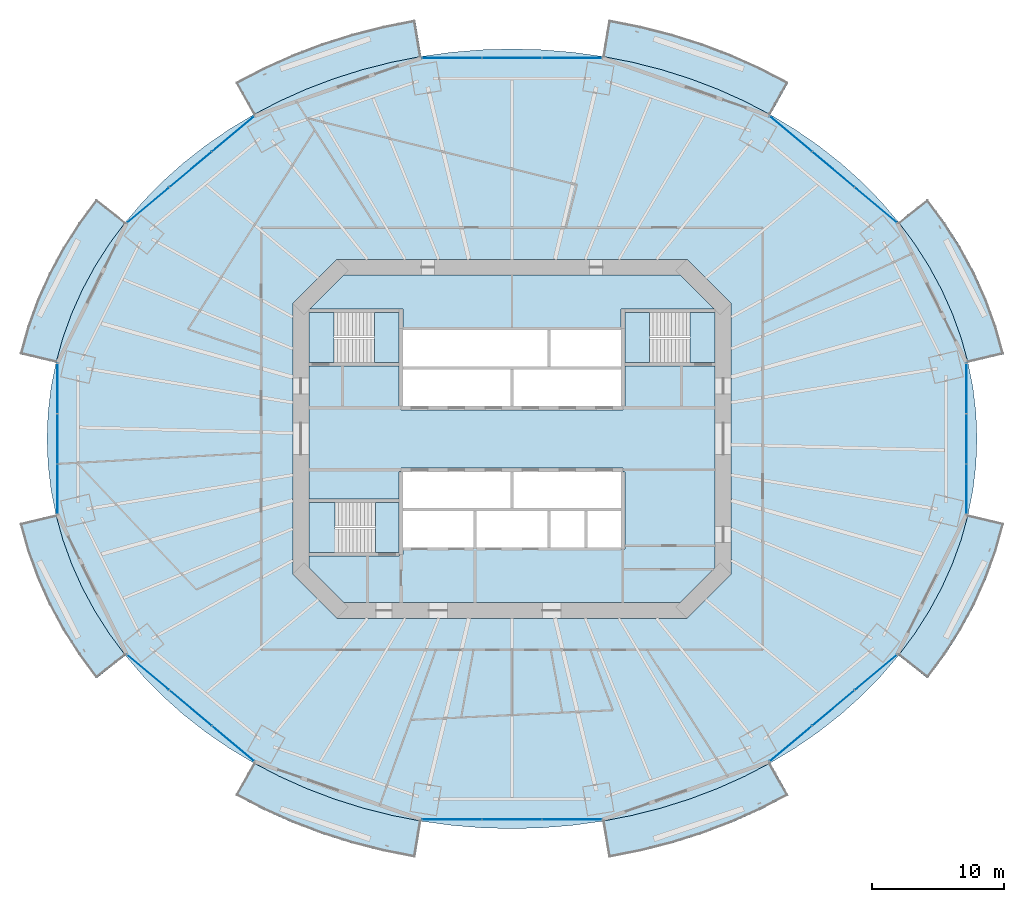
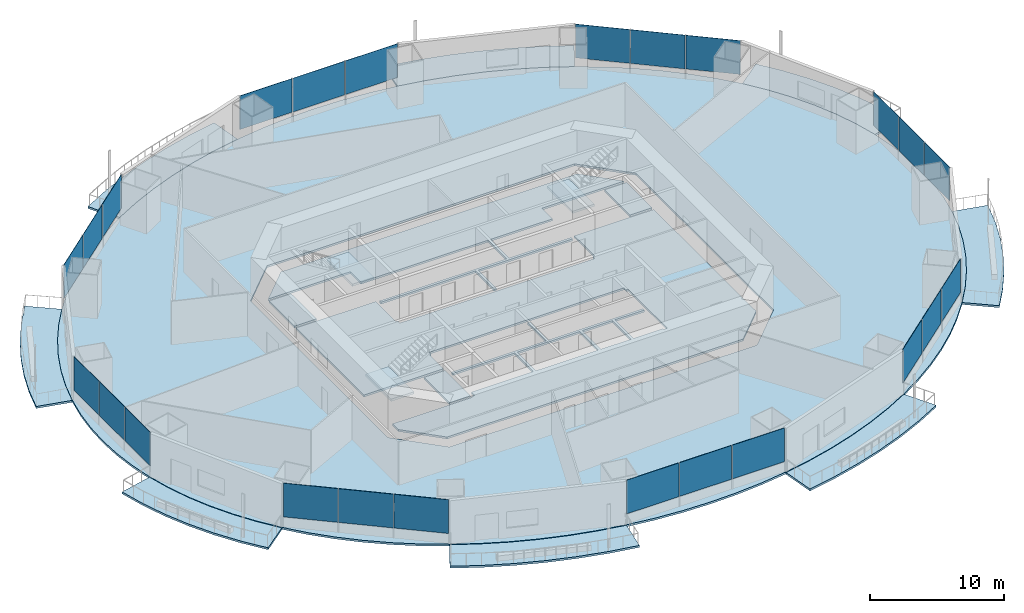
# One storey, part 12 of 22: 24 plates, 17 slabs, 11 elements without a shape of their own.
"""IFC4 building model written with IfcOpenShell, lengths in metres."""

from ifc_helpers import new_model, si_unit, direction, frame, origin, origin_2d, place, context, subcontext, project, spatial, polyline, rectangle, outline, extrude, material, layer, layer_set, type_object, element, aggregate, save


model = new_model("IFC4")

# Units and contexts
model_context = context("Model", 3, precision=1e-05, world=origin(), true_north=direction((0.0, 1.0)))
body_context = subcontext(model_context, "Body", "Model", "MODEL_VIEW")
ifc_project = project(units=[si_unit("LENGTHUNIT", "METRE"), si_unit("AREAUNIT", "SQUARE_METRE"), si_unit("VOLUMEUNIT", "CUBIC_METRE"), si_unit("PLANEANGLEUNIT", "RADIAN"), si_unit("MASSUNIT", "GRAM", prefix="KILO")], contexts=[model_context])

# Site, building, storey
site_placement = place(None, origin())
site = spatial("IfcSite", under=ifc_project, at=site_placement, CompositionType="ELEMENT")
building_placement = place(site_placement, origin())
building = spatial("IfcBuilding", under=site, at=building_placement, Name="Marenthal Gate Tower", CompositionType="ELEMENT")
storey_placement = place(building_placement, frame((0.0, 0.0, 86.949951171875)))
storey = spatial("IfcBuildingStorey", under=building, at=storey_placement, Name="L17", CompositionType="ELEMENT", Elevation=86.949951171875)

# Slabs
ifc_material_1 = material(Name="Concrete 40 MPa", Category="concrete")
ifc_layer_1 = layer(ifc_material_1, 0.179931640625)
ifc_layer_set_1 = layer_set([ifc_layer_1], Name="Balcony deck 180")
slab_type_1 = type_object("IfcSlabType", Name="Balcony deck 180", PredefinedType="USERDEFINED", material=ifc_layer_set_1)
slab_1_placement = place(storey_placement, frame((0.0, 0.0, -0.219970703125)))
element("IfcSlab", 1, at=slab_1_placement, inside=storey, type_object=slab_type_1, Name="Balcony deck L17 bay 1", ObjectType="BALCONY", PredefinedType="USERDEFINED", context=body_context, shape_type="SweptSolid", body=[
    extrude(outline(polyline([(34.553955078125, 5.7626953125), (34.030517578125, 7.64501953125), (33.361328125, 9.49462890625), (32.54931640625, 11.3037109375), (31.59765625, 13.064208984375), (30.510986328125, 14.76904296875), (29.29345703125, 16.410400390625), (31.483154296875, 18.155517578125), (32.81689453125, 16.35693359375), (34.01123046875, 14.48388671875), (35.0595703125, 12.5439453125), (35.95654296875, 10.54541015625), (36.697509765625, 8.497314453125), (37.2783203125, 6.408935546875), (34.553955078125, 5.7626953125)])), origin(), (0.0, 0.0, 1.0), 0.179931640625),
])
slab_2_placement = place(storey_placement, frame((0.0, 0.0, -0.219970703125)))
element("IfcSlab", 2, at=slab_2_placement, inside=storey, type_object=slab_type_1, Name="Balcony deck L17 bay 3", ObjectType="BALCONY", PredefinedType="USERDEFINED", context=body_context, shape_type="SweptSolid", body=[
    extrude(outline(polyline([(19.5732421875, 24.559814453125), (17.615478515625, 25.580810546875), (15.582275390625, 26.49169921875), (13.482421875, 27.28955078125), (11.32470703125, 27.970458984375), (9.118408203125, 28.531494140625), (6.873291015625, 28.970458984375), (7.333740234375, 31.732177734375), (9.732177734375, 31.263427734375), (12.091064453125, 30.66357421875), (14.40087890625, 29.9345703125), (16.652099609375, 29.079345703125), (18.83544921875, 28.10107421875), (20.94189453125, 27.002685546875), (19.5732421875, 24.559814453125)])), origin(), (0.0, 0.0, 1.0), 0.179931640625),
])
slab_3_placement = place(storey_placement, frame((0.0, 0.0, -0.219970703125)))
element("IfcSlab", 3, at=slab_3_placement, inside=storey, type_object=slab_type_1, Name="Balcony deck L17 bay 5", ObjectType="BALCONY", PredefinedType="USERDEFINED", context=body_context, shape_type="SweptSolid", body=[
    extrude(outline(polyline([(-6.873291015625, 28.970458984375), (-9.118408203125, 28.531494140625), (-11.32470703125, 27.970458984375), (-13.482421875, 27.28955078125), (-15.582275390625, 26.49169921875), (-17.615478515625, 25.580810546875), (-19.5732421875, 24.559814453125), (-20.94189453125, 27.002685546875), (-18.83544921875, 28.10107421875), (-16.652099609375, 29.079345703125), (-14.40087890625, 29.9345703125), (-12.091064453125, 30.66357421875), (-9.732177734375, 31.263427734375), (-7.333740234375, 31.732177734375), (-6.873291015625, 28.970458984375)])), origin(), (0.0, 0.0, 1.0), 0.179931640625),
])
slab_4_placement = place(storey_placement, frame((0.0, 0.0, -0.219970703125)))
element("IfcSlab", 4, at=slab_4_placement, inside=storey, type_object=slab_type_1, Name="Balcony deck L17 bay 7", ObjectType="BALCONY", PredefinedType="USERDEFINED", context=body_context, shape_type="SweptSolid", body=[
    extrude(outline(polyline([(-29.29345703125, 16.410400390625), (-30.510986328125, 14.76904296875), (-31.59765625, 13.064208984375), (-32.54931640625, 11.3037109375), (-33.361328125, 9.49462890625), (-34.030517578125, 7.64501953125), (-34.553955078125, 5.7626953125), (-37.2783203125, 6.408935546875), (-36.697509765625, 8.497314453125), (-35.95654296875, 10.54541015625), (-35.0595703125, 12.5439453125), (-34.01123046875, 14.48388671875), (-32.81689453125, 16.35693359375), (-31.483154296875, 18.155517578125), (-29.29345703125, 16.410400390625)])), origin(), (0.0, 0.0, 1.0), 0.179931640625),
])
slab_5_placement = place(storey_placement, frame((0.0, 0.0, -0.219970703125)))
element("IfcSlab", 5, at=slab_5_placement, inside=storey, type_object=slab_type_1, Name="Balcony deck L17 bay 9", ObjectType="BALCONY", PredefinedType="USERDEFINED", context=body_context, shape_type="SweptSolid", body=[
    extrude(outline(polyline([(-34.553955078125, -5.7626953125), (-34.030517578125, -7.64501953125), (-33.361328125, -9.49462890625), (-32.54931640625, -11.3037109375), (-31.59765625, -13.064208984375), (-30.510986328125, -14.76904296875), (-29.29345703125, -16.410400390625), (-31.483154296875, -18.155517578125), (-32.81689453125, -16.35693359375), (-34.01123046875, -14.48388671875), (-35.0595703125, -12.5439453125), (-35.95654296875, -10.54541015625), (-36.697509765625, -8.497314453125), (-37.2783203125, -6.408935546875), (-34.553955078125, -5.7626953125)])), origin(), (0.0, 0.0, 1.0), 0.179931640625),
])
slab_6_placement = place(storey_placement, frame((0.0, 0.0, -0.219970703125)))
element("IfcSlab", 6, at=slab_6_placement, inside=storey, type_object=slab_type_1, Name="Balcony deck L17 bay 11", ObjectType="BALCONY", PredefinedType="USERDEFINED", context=body_context, shape_type="SweptSolid", body=[
    extrude(outline(polyline([(-19.5732421875, -24.559814453125), (-17.615478515625, -25.580810546875), (-15.582275390625, -26.49169921875), (-13.482421875, -27.28955078125), (-11.32470703125, -27.970458984375), (-9.118408203125, -28.531494140625), (-6.873291015625, -28.970458984375), (-7.333740234375, -31.732177734375), (-9.732177734375, -31.263427734375), (-12.091064453125, -30.66357421875), (-14.40087890625, -29.9345703125), (-16.652099609375, -29.079345703125), (-18.83544921875, -28.10107421875), (-20.94189453125, -27.002685546875), (-19.5732421875, -24.559814453125)])), origin(), (0.0, 0.0, 1.0), 0.179931640625),
])
slab_7_placement = place(storey_placement, frame((0.0, 0.0, -0.219970703125)))
element("IfcSlab", 7, at=slab_7_placement, inside=storey, type_object=slab_type_1, Name="Balcony deck L17 bay 13", ObjectType="BALCONY", PredefinedType="USERDEFINED", context=body_context, shape_type="SweptSolid", body=[
    extrude(outline(polyline([(6.873291015625, -28.970458984375), (9.118408203125, -28.531494140625), (11.32470703125, -27.970458984375), (13.482421875, -27.28955078125), (15.582275390625, -26.49169921875), (17.615478515625, -25.580810546875), (19.5732421875, -24.559814453125), (20.94189453125, -27.002685546875), (18.83544921875, -28.10107421875), (16.652099609375, -29.079345703125), (14.40087890625, -29.9345703125), (12.091064453125, -30.66357421875), (9.732177734375, -31.263427734375), (7.333740234375, -31.732177734375), (6.873291015625, -28.970458984375)])), origin(), (0.0, 0.0, 1.0), 0.179931640625),
])
slab_8_placement = place(storey_placement, frame((0.0, 0.0, -0.219970703125)))
element("IfcSlab", 8, at=slab_8_placement, inside=storey, type_object=slab_type_1, Name="Balcony deck L17 bay 15", ObjectType="BALCONY", PredefinedType="USERDEFINED", context=body_context, shape_type="SweptSolid", body=[
    extrude(outline(polyline([(29.29345703125, -16.410400390625), (30.510986328125, -14.76904296875), (31.59765625, -13.064208984375), (32.54931640625, -11.3037109375), (33.361328125, -9.49462890625), (34.030517578125, -7.64501953125), (34.553955078125, -5.7626953125), (37.2783203125, -6.408935546875), (36.697509765625, -8.497314453125), (35.95654296875, -10.54541015625), (35.0595703125, -12.5439453125), (34.01123046875, -14.48388671875), (32.81689453125, -16.35693359375), (31.483154296875, -18.155517578125), (29.29345703125, -16.410400390625)])), origin(), (0.0, 0.0, 1.0), 0.179931640625),
])
ifc_material_2 = material(Name="Concrete 50 MPa", Category="concrete")
ifc_layer_2 = layer(ifc_material_2, 0.179931640625)
ifc_layer_set_2 = layer_set([ifc_layer_2], Name="Core floor slab 180")
slab_type_2 = type_object("IfcSlabType", Name="Core floor slab 180", PredefinedType="FLOOR", material=ifc_layer_set_2)
slab_9_placement = place(storey_placement, frame((0.0, 0.0, -0.179931640625)))
element("IfcSlab", 9, at=slab_9_placement, inside=storey, type_object=slab_type_2, Name="Core floor L17", PredefinedType="FLOOR", context=body_context, shape_type="SweptSolid", body=[
    extrude(outline(polyline([(15.39990234375, -9.75146484375), (12.75146484375, -12.39990234375), (-12.75146484375, -12.39990234375), (-15.39990234375, -9.75146484375), (-15.39990234375, -8.875), (-8.550048828125, -8.875), (-8.550048828125, -8.75), (-8.25, -8.75), (-8.25, -8.239990234375), (-5.60009765625, -8.239990234375), (-2.909912109375, -8.239990234375), (-2.909912109375, -5.4599609375), (-5.60009765625, -5.4599609375), (-8.25, -5.4599609375), (-8.25, -5.239990234375), (-5.60009765625, -5.239990234375), (-2.800048828125, -5.239990234375), (-0.110107421875, -5.239990234375), (-0.110107421875, -2.5), (0.110107421875, -2.5), (0.110107421875, -5.239990234375), (2.800048828125, -5.239990234375), (5.60009765625, -5.239990234375), (8.25, -5.239990234375), (8.25, -5.4599609375), (5.7099609375, -5.4599609375), (5.7099609375, -8.239990234375), (8.25, -8.239990234375), (8.25, -8.35009765625), (8.550048828125, -8.35009765625), (8.550048828125, -2.5), (8.39990234375, -2.5), (8.39990234375, -2.199951171875), (-8.39990234375, -2.199951171875), (-8.39990234375, -2.5), (-8.550048828125, -2.5), (-8.550048828125, -4.574951171875), (-15.39990234375, -4.574951171875), (-15.39990234375, 5.52490234375), (-8.550048828125, 5.52490234375), (-8.550048828125, 2.5), (-8.39990234375, 2.5), (-8.39990234375, 2.199951171875), (8.39990234375, 2.199951171875), (8.39990234375, 2.5), (8.550048828125, 2.5), (8.550048828125, 5.52490234375), (15.39990234375, 5.52490234375), (15.39990234375, -9.75146484375)]), holes=[polyline([(2.68994140625, -5.4599609375), (0.0, -5.4599609375), (-2.68994140625, -5.4599609375), (-2.68994140625, -8.239990234375), (0.0, -8.239990234375), (2.68994140625, -8.239990234375), (2.68994140625, -5.4599609375)]), polyline([(5.489990234375, -5.4599609375), (2.909912109375, -5.4599609375), (2.909912109375, -8.239990234375), (5.489990234375, -8.239990234375), (5.489990234375, -5.4599609375)])]), origin(), (0.0, 0.0, 1.0), 0.179931640625),
])
slab_10_placement = place(storey_placement, frame((0.0, 0.0, -0.179931640625)))
element("IfcSlab", 10, at=slab_10_placement, inside=storey, type_object=slab_type_2, Name="Core floor L17", PredefinedType="FLOOR", context=body_context, shape_type="SweptSolid", body=[
    extrude(outline(polyline([(15.39990234375, 5.77490234375), (13.5, 5.77490234375), (13.5, 9.574951171875), (15.39990234375, 9.574951171875), (15.39990234375, 5.77490234375)])), origin(), (0.0, 0.0, 1.0), 0.179931640625),
])
slab_11_placement = place(storey_placement, frame((0.0, 0.0, -0.179931640625)))
element("IfcSlab", 11, at=slab_11_placement, inside=storey, type_object=slab_type_2, Name="Core floor L17", PredefinedType="FLOOR", context=body_context, shape_type="SweptSolid", body=[
    extrude(outline(polyline([(12.75146484375, 12.39990234375), (15.326416015625, 9.824951171875), (8.550048828125, 9.824951171875), (8.25, 9.824951171875), (8.25, 8.35009765625), (8.25, 8.239990234375), (5.60009765625, 8.239990234375), (2.909912109375, 8.239990234375), (2.909912109375, 5.4599609375), (5.60009765625, 5.4599609375), (8.25, 5.4599609375), (8.25, 5.239990234375), (5.60009765625, 5.239990234375), (2.800048828125, 5.239990234375), (0.110107421875, 5.239990234375), (0.110107421875, 2.5), (-0.110107421875, 2.5), (-0.110107421875, 5.239990234375), (-2.800048828125, 5.239990234375), (-5.60009765625, 5.239990234375), (-8.25, 5.239990234375), (-8.25, 5.4599609375), (-5.60009765625, 5.4599609375), (-2.800048828125, 5.4599609375), (0.0, 5.4599609375), (2.68994140625, 5.4599609375), (2.68994140625, 8.239990234375), (0.0, 8.239990234375), (-2.800048828125, 8.239990234375), (-5.60009765625, 8.239990234375), (-8.25, 8.239990234375), (-8.25, 8.35009765625), (-8.25, 9.824951171875), (-8.550048828125, 9.824951171875), (-15.326416015625, 9.824951171875), (-12.75146484375, 12.39990234375), (12.75146484375, 12.39990234375)])), origin(), (0.0, 0.0, 1.0), 0.179931640625),
])
slab_12_placement = place(storey_placement, frame((0.0, 0.0, -0.179931640625)))
element("IfcSlab", 12, at=slab_12_placement, inside=storey, type_object=slab_type_2, Name="Core floor L17", PredefinedType="FLOOR", context=body_context, shape_type="SweptSolid", body=[
    extrude(outline(polyline([(-15.39990234375, 9.574951171875), (-13.5, 9.574951171875), (-13.5, 5.77490234375), (-15.39990234375, 5.77490234375), (-15.39990234375, 9.574951171875)])), origin(), (0.0, 0.0, 1.0), 0.179931640625),
])
slab_13_placement = place(storey_placement, frame((0.0, 0.0, -0.179931640625)))
element("IfcSlab", 13, at=slab_13_placement, inside=storey, type_object=slab_type_2, Name="Core floor L17", PredefinedType="FLOOR", context=body_context, shape_type="SweptSolid", body=[
    extrude(outline(polyline([(-8.550048828125, -8.625), (-10.35009765625, -8.625), (-10.35009765625, -4.824951171875), (-8.550048828125, -4.824951171875), (-8.550048828125, -8.625)])), origin(), (0.0, 0.0, 1.0), 0.179931640625),
])
ifc_material_3 = material(Name="Concrete 35 MPa", Category="concrete")
ifc_layer_3 = layer(ifc_material_3, 0.179931640625)
ifc_layer_set_3 = layer_set([ifc_layer_3], Name="Floor slab 180")
slab_type_3 = type_object("IfcSlabType", Name="Floor slab 180", PredefinedType="FLOOR", material=ifc_layer_set_3)
slab_14_placement = place(storey_placement, frame((0.0, 0.0, -0.179931640625)))
element("IfcSlab", 14, at=slab_14_placement, inside=storey, type_object=slab_type_3, Name="SL-L17-01", PredefinedType="FLOOR", context=body_context, shape_type="SweptSolid", body=[
    extrude(outline(polyline([(35.23095703125, 0.0), (35.155517578125, 1.931884765625), (34.9296875, 3.85546875), (34.553955078125, 5.7626953125), (34.030517578125, 7.64501953125), (33.361328125, 9.49462890625), (32.54931640625, 11.3037109375), (31.59765625, 13.064208984375), (30.510986328125, 14.76904296875), (29.29345703125, 16.410400390625), (27.95068359375, 17.981689453125), (26.488037109375, 19.475830078125), (24.912109375, 20.886474609375), (23.2294921875, 22.207763671875), (21.447265625, 23.43408203125), (19.5732421875, 24.559814453125), (17.615478515625, 25.580810546875), (15.582275390625, 26.49169921875), (13.482421875, 27.28955078125), (11.32470703125, 27.970458984375), (9.118408203125, 28.531494140625), (6.873291015625, 28.970458984375), (4.5986328125, 29.285400390625), (2.30419921875, 29.474853515625), (0.0, 29.5380859375), (-2.30419921875, 29.474853515625), (-4.5986328125, 29.285400390625), (-6.873291015625, 28.970458984375), (-9.118408203125, 28.531494140625), (-11.32470703125, 27.970458984375), (-13.482421875, 27.28955078125), (-15.582275390625, 26.49169921875), (-17.615478515625, 25.580810546875), (-19.5732421875, 24.559814453125), (-21.447265625, 23.43408203125), (-23.2294921875, 22.207763671875), (-24.912109375, 20.886474609375), (-26.488037109375, 19.475830078125), (-27.95068359375, 17.981689453125), (-29.29345703125, 16.410400390625), (-30.510986328125, 14.76904296875), (-31.59765625, 13.064208984375), (-32.54931640625, 11.3037109375), (-33.361328125, 9.49462890625), (-34.030517578125, 7.64501953125), (-34.553955078125, 5.7626953125), (-34.9296875, 3.85546875), (-35.155517578125, 1.931884765625), (-35.23095703125, 0.0), (-35.155517578125, -1.931884765625), (-34.9296875, -3.85546875), (-34.553955078125, -5.7626953125), (-34.030517578125, -7.64501953125), (-33.361328125, -9.49462890625), (-32.54931640625, -11.3037109375), (-31.59765625, -13.064208984375), (-30.510986328125, -14.76904296875), (-29.29345703125, -16.410400390625), (-27.95068359375, -17.981689453125), (-26.488037109375, -19.475830078125), (-24.912109375, -20.886474609375), (-23.2294921875, -22.207763671875), (-21.447265625, -23.43408203125), (-19.5732421875, -24.559814453125), (-17.615478515625, -25.580810546875), (-15.582275390625, -26.49169921875), (-13.482421875, -27.28955078125), (-11.32470703125, -27.970458984375), (-9.118408203125, -28.531494140625), (-6.873291015625, -28.970458984375), (-4.5986328125, -29.285400390625), (-2.30419921875, -29.474853515625), (0.0, -29.5380859375), (2.30419921875, -29.474853515625), (4.5986328125, -29.285400390625), (6.873291015625, -28.970458984375), (9.118408203125, -28.531494140625), (11.32470703125, -27.970458984375), (13.482421875, -27.28955078125), (15.582275390625, -26.49169921875), (17.615478515625, -25.580810546875), (19.5732421875, -24.559814453125), (21.447265625, -23.43408203125), (23.2294921875, -22.207763671875), (24.912109375, -20.886474609375), (26.488037109375, -19.475830078125), (27.95068359375, -17.981689453125), (29.29345703125, -16.410400390625), (30.510986328125, -14.76904296875), (31.59765625, -13.064208984375), (32.54931640625, -11.3037109375), (33.361328125, -9.49462890625), (34.030517578125, -7.64501953125), (34.553955078125, -5.7626953125), (34.9296875, -3.85546875), (35.155517578125, -1.931884765625), (35.23095703125, 0.0)]), holes=[polyline([(13.24853515625, -13.60009765625), (16.60009765625, -10.24853515625), (16.60009765625, 10.24853515625), (13.24853515625, 13.60009765625), (-13.24853515625, 13.60009765625), (-16.60009765625, 10.24853515625), (-16.60009765625, -10.24853515625), (-13.24853515625, -13.60009765625), (13.24853515625, -13.60009765625)])]), origin(), (0.0, 0.0, 1.0), 0.179931640625),
])

# Curtain wall, plates
ifc_material_4 = material(Name="Aluminium and glass", Category="aluminium")
curtain_wall_type = type_object("IfcCurtainWallType", Name="Curtain wall typical low", PredefinedType="NOTDEFINED", material=ifc_material_4)
curtain_wall_1_placement = place(storey_placement, origin())
curtain_wall_1 = element("IfcCurtainWall", 15, at=curtain_wall_1_placement, inside=storey, type_object=curtain_wall_type, Name="Curtain wall L17 bay 2", PredefinedType="NOTDEFINED")
ifc_material_5 = material(Name="Glass, laminated insulating unit", Category="glass")
ifc_layer_4 = layer(ifc_material_5, 0.030029296875)
ifc_layer_set_4 = layer_set([ifc_layer_4], Name="Glass panel 30 typical low")
plate_type = type_object("IfcPlateType", Name="Glass panel 30 typical low", PredefinedType="CURTAIN_PANEL", material=ifc_layer_set_4)
plate_1_placement = place(storey_placement, frame((27.56396484375, 17.70947265625, 0.89990234375), z_axis=(0.0, 0.0, 1.0), x_axis=(-0.766513427604, 0.642228281301, 0.0)))
plate_1 = element("IfcPlate", 16, at=plate_1_placement, type_object=plate_type, Name="Glass panel L17 bay 2.1", PredefinedType="CURTAIN_PANEL", context=body_context, shape_type="SweptSolid", body=[
    extrude(rectangle(XDim=4.132568359375, YDim=0.030029296875, at=origin_2d()), origin(), (0.0, 0.0, 1.0), 3.070068359375),
])
plate_2_placement = place(storey_placement, frame((24.35009765625, 20.40185546875, 0.89990234375), z_axis=(0.0, 0.0, 1.0), x_axis=(-0.766513427604, 0.642228281301, 0.0)))
plate_2 = element("IfcPlate", 17, at=plate_2_placement, type_object=plate_type, Name="Glass panel L17 bay 2.2", PredefinedType="CURTAIN_PANEL", context=body_context, shape_type="SweptSolid", body=[
    extrude(rectangle(XDim=4.132568359375, YDim=0.030029296875, at=origin_2d()), origin(), (0.0, 0.0, 1.0), 3.070068359375),
])
plate_3_placement = place(storey_placement, frame((21.136474609375, 23.0947265625, 0.89990234375), z_axis=(0.0, 0.0, 1.0), x_axis=(-0.766513427604, 0.642228281301, 0.0)))
plate_3 = element("IfcPlate", 18, at=plate_3_placement, type_object=plate_type, Name="Glass panel L17 bay 2.3", PredefinedType="CURTAIN_PANEL", context=body_context, shape_type="SweptSolid", body=[
    extrude(rectangle(XDim=4.1328125, YDim=0.030029296875, at=origin_2d()), origin(), (0.0, 0.0, 1.0), 3.070068359375),
])
aggregate(curtain_wall_1, [plate_1, plate_2, plate_3])

curtain_wall_2_placement = place(storey_placement, origin())
curtain_wall_2 = element("IfcCurtainWall", 19, at=curtain_wall_2_placement, inside=storey, type_object=curtain_wall_type, Name="Curtain wall L17 bay 4", PredefinedType="NOTDEFINED")
plate_4_placement = place(storey_placement, frame((4.546630859375, 28.852783203125, 0.89990234375), z_axis=(0.0, 0.0, 1.0), x_axis=(-1.0, 0.0, 0.0)))
plate_4 = element("IfcPlate", 20, at=plate_4_placement, type_object=plate_type, Name="Glass panel L17 bay 4.1", PredefinedType="CURTAIN_PANEL", context=body_context, shape_type="SweptSolid", body=[
    extrude(rectangle(XDim=4.486572265625, YDim=0.030029296875, at=origin_2d()), origin(), (0.0, 0.0, 1.0), 3.070068359375),
])
plate_5_placement = place(storey_placement, frame((0.0, 28.852783203125, 0.89990234375), z_axis=(0.0, 0.0, 1.0), x_axis=(-1.0, 0.0, 0.0)))
plate_5 = element("IfcPlate", 21, at=plate_5_placement, type_object=plate_type, Name="Glass panel L17 bay 4.2", PredefinedType="CURTAIN_PANEL", context=body_context, shape_type="SweptSolid", body=[
    extrude(rectangle(XDim=4.486572265625, YDim=0.030029296875, at=origin_2d()), origin(), (0.0, 0.0, 1.0), 3.070068359375),
])
plate_6_placement = place(storey_placement, frame((-4.546630859375, 28.852783203125, 0.89990234375), z_axis=(0.0, 0.0, 1.0), x_axis=(-1.0, 0.0, 0.0)))
plate_6 = element("IfcPlate", 22, at=plate_6_placement, type_object=plate_type, Name="Glass panel L17 bay 4.3", PredefinedType="CURTAIN_PANEL", context=body_context, shape_type="SweptSolid", body=[
    extrude(rectangle(XDim=4.486572265625, YDim=0.030029296875, at=origin_2d()), origin(), (0.0, 0.0, 1.0), 3.070068359375),
])
aggregate(curtain_wall_2, [plate_4, plate_5, plate_6])

curtain_wall_3_placement = place(storey_placement, origin())
curtain_wall_3 = element("IfcCurtainWall", 23, at=curtain_wall_3_placement, inside=storey, type_object=curtain_wall_type, Name="Curtain wall L17 bay 6", PredefinedType="NOTDEFINED")
plate_7_placement = place(storey_placement, frame((-21.136474609375, 23.0947265625, 0.89990234375), z_axis=(0.0, 0.0, 1.0), x_axis=(-0.766513427604, -0.642228281301, 0.0)))
plate_7 = element("IfcPlate", 24, at=plate_7_placement, type_object=plate_type, Name="Glass panel L17 bay 6.1", PredefinedType="CURTAIN_PANEL", context=body_context, shape_type="SweptSolid", body=[
    extrude(rectangle(XDim=4.132568359375, YDim=0.030029296875, at=origin_2d()), origin(), (0.0, 0.0, 1.0), 3.070068359375),
])
plate_8_placement = place(storey_placement, frame((-24.35009765625, 20.402099609375, 0.89990234375), z_axis=(0.0, 0.0, 1.0), x_axis=(-0.766513427604, -0.642228281301, 0.0)))
plate_8 = element("IfcPlate", 25, at=plate_8_placement, type_object=plate_type, Name="Glass panel L17 bay 6.2", PredefinedType="CURTAIN_PANEL", context=body_context, shape_type="SweptSolid", body=[
    extrude(rectangle(XDim=4.132568359375, YDim=0.030029296875, at=origin_2d()), origin(), (0.0, 0.0, 1.0), 3.070068359375),
])
plate_9_placement = place(storey_placement, frame((-27.56396484375, 17.70947265625, 0.89990234375), z_axis=(0.0, 0.0, 1.0), x_axis=(-0.766513427604, -0.642228281301, 0.0)))
plate_9 = element("IfcPlate", 26, at=plate_9_placement, type_object=plate_type, Name="Glass panel L17 bay 6.3", PredefinedType="CURTAIN_PANEL", context=body_context, shape_type="SweptSolid", body=[
    extrude(rectangle(XDim=4.1328125, YDim=0.030029296875, at=origin_2d()), origin(), (0.0, 0.0, 1.0), 3.070068359375),
])
aggregate(curtain_wall_3, [plate_7, plate_8, plate_9])

curtain_wall_4_placement = place(storey_placement, origin())
curtain_wall_4 = element("IfcCurtainWall", 27, at=curtain_wall_4_placement, inside=storey, type_object=curtain_wall_type, Name="Curtain wall L17 bay 8", PredefinedType="NOTDEFINED")
plate_10_placement = place(storey_placement, frame((-34.436279296875, 3.80615234375, 0.89990234375), z_axis=(0.0, 0.0, 1.0), x_axis=(0.0, -1.0, 0.0)))
plate_10 = element("IfcPlate", 28, at=plate_10_placement, type_object=plate_type, Name="Glass panel L17 bay 8.1", PredefinedType="CURTAIN_PANEL", context=body_context, shape_type="SweptSolid", body=[
    extrude(rectangle(XDim=3.74609375, YDim=0.030029296875, at=origin_2d()), origin(), (0.0, 0.0, 1.0), 3.070068359375),
])
plate_11_placement = place(storey_placement, frame((-34.436279296875, 0.0, 0.89990234375), z_axis=(0.0, 0.0, 1.0), x_axis=(0.0, -1.0, 0.0)))
plate_11 = element("IfcPlate", 29, at=plate_11_placement, type_object=plate_type, Name="Glass panel L17 bay 8.2", PredefinedType="CURTAIN_PANEL", context=body_context, shape_type="SweptSolid", body=[
    extrude(rectangle(XDim=3.74609375, YDim=0.030029296875, at=origin_2d()), origin(), (0.0, 0.0, 1.0), 3.070068359375),
])
plate_12_placement = place(storey_placement, frame((-34.436279296875, -3.80615234375, 0.89990234375), z_axis=(0.0, 0.0, 1.0), x_axis=(0.0, -1.0, 0.0)))
plate_12 = element("IfcPlate", 30, at=plate_12_placement, type_object=plate_type, Name="Glass panel L17 bay 8.3", PredefinedType="CURTAIN_PANEL", context=body_context, shape_type="SweptSolid", body=[
    extrude(rectangle(XDim=3.74609375, YDim=0.030029296875, at=origin_2d()), origin(), (0.0, 0.0, 1.0), 3.070068359375),
])
aggregate(curtain_wall_4, [plate_10, plate_11, plate_12])

curtain_wall_5_placement = place(storey_placement, origin())
curtain_wall_5 = element("IfcCurtainWall", 31, at=curtain_wall_5_placement, inside=storey, type_object=curtain_wall_type, Name="Curtain wall L17 bay 10", PredefinedType="NOTDEFINED")
plate_13_placement = place(storey_placement, frame((-27.56396484375, -17.70947265625, 0.89990234375), z_axis=(0.0, 0.0, 1.0), x_axis=(0.766513427604, -0.642228281301, 0.0)))
plate_13 = element("IfcPlate", 32, at=plate_13_placement, type_object=plate_type, Name="Glass panel L17 bay 10.1", PredefinedType="CURTAIN_PANEL", context=body_context, shape_type="SweptSolid", body=[
    extrude(rectangle(XDim=4.132568359375, YDim=0.030029296875, at=origin_2d()), origin(), (0.0, 0.0, 1.0), 3.070068359375),
])
plate_14_placement = place(storey_placement, frame((-24.35009765625, -20.40185546875, 0.89990234375), z_axis=(0.0, 0.0, 1.0), x_axis=(0.766513427604, -0.642228281301, 0.0)))
plate_14 = element("IfcPlate", 33, at=plate_14_placement, type_object=plate_type, Name="Glass panel L17 bay 10.2", PredefinedType="CURTAIN_PANEL", context=body_context, shape_type="SweptSolid", body=[
    extrude(rectangle(XDim=4.132568359375, YDim=0.030029296875, at=origin_2d()), origin(), (0.0, 0.0, 1.0), 3.070068359375),
])
plate_15_placement = place(storey_placement, frame((-21.136474609375, -23.0947265625, 0.89990234375), z_axis=(0.0, 0.0, 1.0), x_axis=(0.766513427604, -0.642228281301, 0.0)))
plate_15 = element("IfcPlate", 34, at=plate_15_placement, type_object=plate_type, Name="Glass panel L17 bay 10.3", PredefinedType="CURTAIN_PANEL", context=body_context, shape_type="SweptSolid", body=[
    extrude(rectangle(XDim=4.1328125, YDim=0.030029296875, at=origin_2d()), origin(), (0.0, 0.0, 1.0), 3.070068359375),
])
aggregate(curtain_wall_5, [plate_13, plate_14, plate_15])

curtain_wall_6_placement = place(storey_placement, origin())
curtain_wall_6 = element("IfcCurtainWall", 35, at=curtain_wall_6_placement, inside=storey, type_object=curtain_wall_type, Name="Curtain wall L17 bay 12", PredefinedType="NOTDEFINED")
plate_16_placement = place(storey_placement, frame((-4.546630859375, -28.852783203125, 0.89990234375), z_axis=(0.0, 0.0, 1.0), x_axis=(1.0, 0.0, 0.0)))
plate_16 = element("IfcPlate", 36, at=plate_16_placement, type_object=plate_type, Name="Glass panel L17 bay 12.1", PredefinedType="CURTAIN_PANEL", context=body_context, shape_type="SweptSolid", body=[
    extrude(rectangle(XDim=4.486572265625, YDim=0.030029296875, at=origin_2d()), origin(), (0.0, 0.0, 1.0), 3.070068359375),
])
plate_17_placement = place(storey_placement, frame((0.0, -28.852783203125, 0.89990234375), z_axis=(0.0, 0.0, 1.0), x_axis=(1.0, 0.0, 0.0)))
plate_17 = element("IfcPlate", 37, at=plate_17_placement, type_object=plate_type, Name="Glass panel L17 bay 12.2", PredefinedType="CURTAIN_PANEL", context=body_context, shape_type="SweptSolid", body=[
    extrude(rectangle(XDim=4.486572265625, YDim=0.030029296875, at=origin_2d()), origin(), (0.0, 0.0, 1.0), 3.070068359375),
])
plate_18_placement = place(storey_placement, frame((4.546630859375, -28.852783203125, 0.89990234375), z_axis=(0.0, 0.0, 1.0), x_axis=(1.0, 0.0, 0.0)))
plate_18 = element("IfcPlate", 38, at=plate_18_placement, type_object=plate_type, Name="Glass panel L17 bay 12.3", PredefinedType="CURTAIN_PANEL", context=body_context, shape_type="SweptSolid", body=[
    extrude(rectangle(XDim=4.486572265625, YDim=0.030029296875, at=origin_2d()), origin(), (0.0, 0.0, 1.0), 3.070068359375),
])
aggregate(curtain_wall_6, [plate_16, plate_17, plate_18])

curtain_wall_7_placement = place(storey_placement, origin())
curtain_wall_7 = element("IfcCurtainWall", 39, at=curtain_wall_7_placement, inside=storey, type_object=curtain_wall_type, Name="Curtain wall L17 bay 14", PredefinedType="NOTDEFINED")
plate_19_placement = place(storey_placement, frame((21.136474609375, -23.0947265625, 0.89990234375), z_axis=(0.0, 0.0, 1.0), x_axis=(0.766513427604, 0.642228281301, 0.0)))
plate_19 = element("IfcPlate", 40, at=plate_19_placement, type_object=plate_type, Name="Glass panel L17 bay 14.1", PredefinedType="CURTAIN_PANEL", context=body_context, shape_type="SweptSolid", body=[
    extrude(rectangle(XDim=4.132568359375, YDim=0.030029296875, at=origin_2d()), origin(), (0.0, 0.0, 1.0), 3.070068359375),
])
plate_20_placement = place(storey_placement, frame((24.35009765625, -20.402099609375, 0.89990234375), z_axis=(0.0, 0.0, 1.0), x_axis=(0.766513427604, 0.642228281301, 0.0)))
plate_20 = element("IfcPlate", 41, at=plate_20_placement, type_object=plate_type, Name="Glass panel L17 bay 14.2", PredefinedType="CURTAIN_PANEL", context=body_context, shape_type="SweptSolid", body=[
    extrude(rectangle(XDim=4.132568359375, YDim=0.030029296875, at=origin_2d()), origin(), (0.0, 0.0, 1.0), 3.070068359375),
])
plate_21_placement = place(storey_placement, frame((27.56396484375, -17.70947265625, 0.89990234375), z_axis=(0.0, 0.0, 1.0), x_axis=(0.766513427604, 0.642228281301, 0.0)))
plate_21 = element("IfcPlate", 42, at=plate_21_placement, type_object=plate_type, Name="Glass panel L17 bay 14.3", PredefinedType="CURTAIN_PANEL", context=body_context, shape_type="SweptSolid", body=[
    extrude(rectangle(XDim=4.1328125, YDim=0.030029296875, at=origin_2d()), origin(), (0.0, 0.0, 1.0), 3.070068359375),
])
aggregate(curtain_wall_7, [plate_19, plate_20, plate_21])

curtain_wall_8_placement = place(storey_placement, origin())
curtain_wall_8 = element("IfcCurtainWall", 43, at=curtain_wall_8_placement, inside=storey, type_object=curtain_wall_type, Name="Curtain wall L17 bay 16", PredefinedType="NOTDEFINED")
plate_22_placement = place(storey_placement, frame((34.436279296875, -3.80615234375, 0.89990234375), z_axis=(0.0, 0.0, 1.0), x_axis=(0.0, 1.0, 0.0)))
plate_22 = element("IfcPlate", 44, at=plate_22_placement, type_object=plate_type, Name="Glass panel L17 bay 16.1", PredefinedType="CURTAIN_PANEL", context=body_context, shape_type="SweptSolid", body=[
    extrude(rectangle(XDim=3.74609375, YDim=0.030029296875, at=origin_2d()), origin(), (0.0, 0.0, 1.0), 3.070068359375),
])
plate_23_placement = place(storey_placement, frame((34.436279296875, 0.0, 0.89990234375), z_axis=(0.0, 0.0, 1.0), x_axis=(0.0, 1.0, 0.0)))
plate_23 = element("IfcPlate", 45, at=plate_23_placement, type_object=plate_type, Name="Glass panel L17 bay 16.2", PredefinedType="CURTAIN_PANEL", context=body_context, shape_type="SweptSolid", body=[
    extrude(rectangle(XDim=3.74609375, YDim=0.030029296875, at=origin_2d()), origin(), (0.0, 0.0, 1.0), 3.070068359375),
])
plate_24_placement = place(storey_placement, frame((34.436279296875, 3.80615234375, 0.89990234375), z_axis=(0.0, 0.0, 1.0), x_axis=(0.0, 1.0, 0.0)))
plate_24 = element("IfcPlate", 46, at=plate_24_placement, type_object=plate_type, Name="Glass panel L17 bay 16.3", PredefinedType="CURTAIN_PANEL", context=body_context, shape_type="SweptSolid", body=[
    extrude(rectangle(XDim=3.74609375, YDim=0.030029296875, at=origin_2d()), origin(), (0.0, 0.0, 1.0), 3.070068359375),
])
aggregate(curtain_wall_8, [plate_22, plate_23, plate_24])

# Stair, slab
ifc_material_6 = material(Name="Concrete 40 MPa", Category="concrete")
stair_type = type_object("IfcStairType", Name="Exit stair 1800", PredefinedType="HALF_TURN_STAIR", material=ifc_material_6)
stair_1_placement = place(storey_placement, origin())
stair_1 = element("IfcStair", 47, at=stair_1_placement, inside=storey, type_object=stair_type, Name="Stair ST1", PredefinedType="HALF_TURN_STAIR")
ifc_material_7 = material(Name="Concrete 40 MPa", Category="concrete")
ifc_layer_5 = layer(ifc_material_7, 0.199951171875)
ifc_layer_set_5 = layer_set([ifc_layer_5], Name="Stair landing 200")
slab_type_4 = type_object("IfcSlabType", Name="Stair landing 200", PredefinedType="LANDING", material=ifc_layer_set_5)
slab_15_placement = place(storey_placement, frame((0.0, 0.0, 1.875)))
slab_15 = element("IfcSlab", 48, at=slab_15_placement, type_object=slab_type_4, Name="ST1 landing 1", PredefinedType="LANDING", context=body_context, shape_type="SweptSolid", body=[
    extrude(outline(polyline([(-10.419921875, 5.77490234375), (-8.550048828125, 5.77490234375), (-8.550048828125, 9.574951171875), (-10.419921875, 9.574951171875), (-10.419921875, 5.77490234375)])), origin(), (0.0, 0.0, 1.0), 0.199951171875),
])
aggregate(stair_1, [slab_15])

stair_2_placement = place(storey_placement, origin())
stair_2 = element("IfcStair", 49, at=stair_2_placement, inside=storey, type_object=stair_type, Name="Stair ST2", PredefinedType="HALF_TURN_STAIR")
slab_16_placement = place(storey_placement, frame((0.0, 0.0, 1.875)))
slab_16 = element("IfcSlab", 50, at=slab_16_placement, type_object=slab_type_4, Name="ST2 landing 1", PredefinedType="LANDING", context=body_context, shape_type="SweptSolid", body=[
    extrude(outline(polyline([(-15.39990234375, -8.625), (-13.429931640625, -8.625), (-13.429931640625, -4.824951171875), (-15.39990234375, -4.824951171875), (-15.39990234375, -8.625)])), origin(), (0.0, 0.0, 1.0), 0.199951171875),
])
aggregate(stair_2, [slab_16])

stair_3_placement = place(storey_placement, origin())
stair_3 = element("IfcStair", 51, at=stair_3_placement, inside=storey, type_object=stair_type, Name="Stair ST3", PredefinedType="HALF_TURN_STAIR")
slab_17_placement = place(storey_placement, frame((0.0, 0.0, 1.875)))
slab_17 = element("IfcSlab", 52, at=slab_17_placement, type_object=slab_type_4, Name="ST3 landing 1", PredefinedType="LANDING", context=body_context, shape_type="SweptSolid", body=[
    extrude(outline(polyline([(8.550048828125, 5.77490234375), (10.419921875, 5.77490234375), (10.419921875, 9.574951171875), (8.550048828125, 9.574951171875), (8.550048828125, 5.77490234375)])), origin(), (0.0, 0.0, 1.0), 0.199951171875),
])
aggregate(stair_3, [slab_17])

save(model, "model.ifc")
